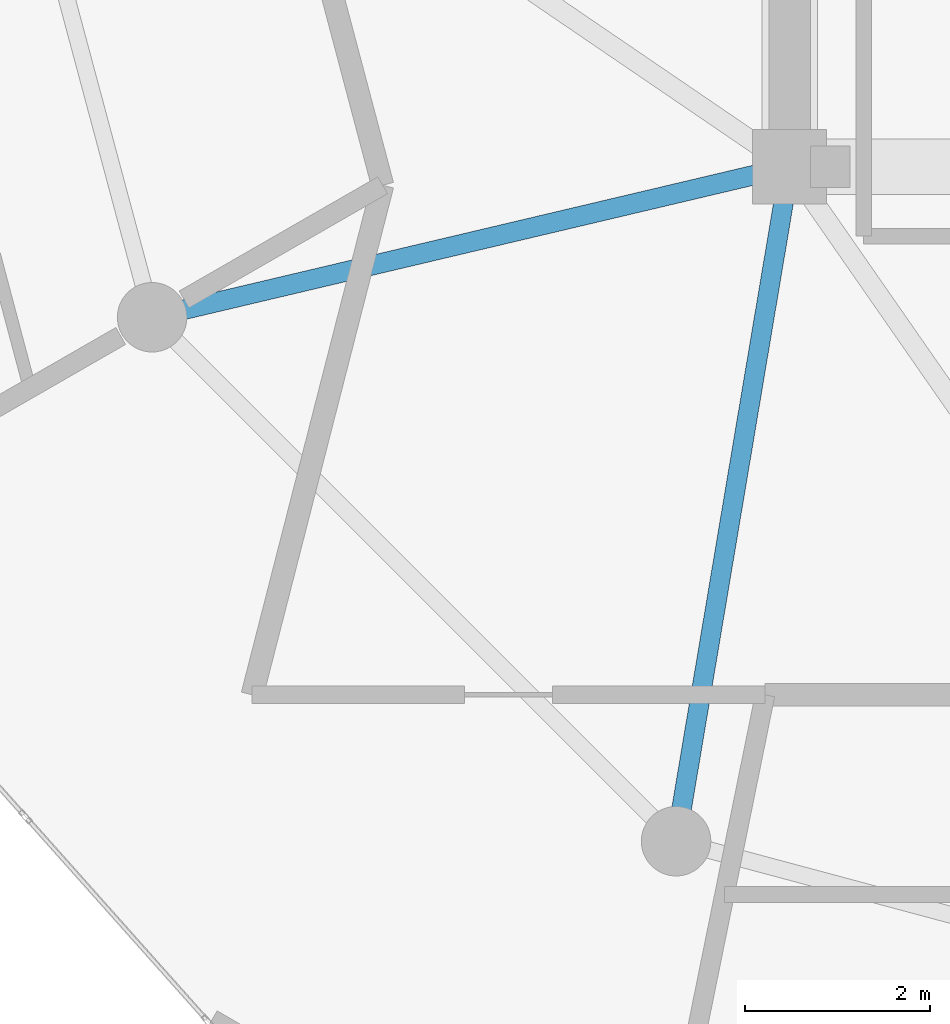
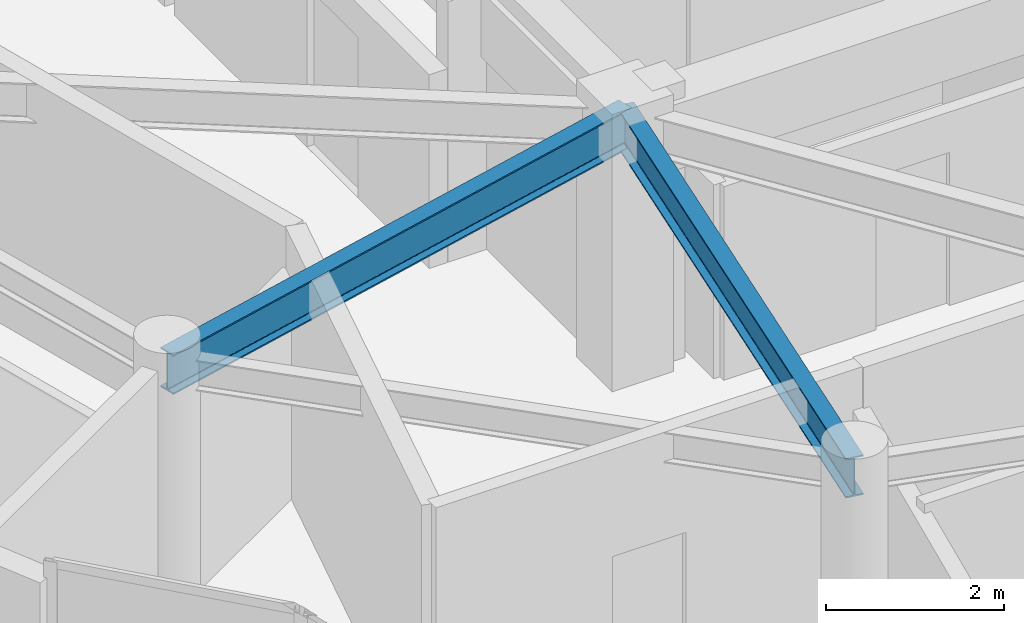
# One storey, part 3 of 23: 2 beams.
"""IFC4 building model written with IfcOpenShell, lengths in metres."""

from ifc_helpers import new_model, si_unit, direction, frame, origin, origin_2d, place, context, subcontext, project, spatial, i_section, extrude, material, material_profile, profile_set, type_object, element, save


model = new_model("IFC4")

# Units and contexts
model_context = context("Model", 3, precision=1e-05, world=origin(), true_north=direction((0.0, 1.0)))
body_context = subcontext(model_context, "Body", "Model", "MODEL_VIEW")
ifc_project = project(units=[si_unit("LENGTHUNIT", "METRE"), si_unit("AREAUNIT", "SQUARE_METRE"), si_unit("VOLUMEUNIT", "CUBIC_METRE"), si_unit("PLANEANGLEUNIT", "RADIAN"), si_unit("MASSUNIT", "GRAM", prefix="KILO")], contexts=[model_context])

# Site, building, storey
site_placement = place(None, origin())
site = spatial("IfcSite", under=ifc_project, at=site_placement, CompositionType="ELEMENT")
building_placement = place(site_placement, origin())
building = spatial("IfcBuilding", under=site, at=building_placement, Name="Solvirekh Grand Hotel", CompositionType="ELEMENT")
storey_placement = place(building_placement, frame((0.0, 0.0, 285.800048828125)))
storey = spatial("IfcBuildingStorey", under=building, at=storey_placement, Name="L74", CompositionType="ELEMENT", Elevation=285.800048828125)

# Beams
ifc_material = material(Name="Steel S355", Category="steel")
ifc_material_profile = material_profile(ifc_material, i_section(OverallWidth=0.2119140625, OverallDepth=0.5439453125, WebThickness=0.011962890625, FlangeThickness=0.01904296875, FilletRadius=0.013916015625, at=origin_2d()), Name="W530X123")
ifc_profile_set = profile_set([ifc_material_profile], Name="Steel S355")
beam_type = type_object("IfcBeamType", Name="Beam_Radial_W530H", PredefinedType="BEAM", material=ifc_profile_set)
beam_1_placement = place(storey_placement, frame((-6.5, -6.10009765625, 3.2978515625), z_axis=(-0.973221147544, -0.229870828888, 0.0), x_axis=(0.229870828888, -0.973221147544, 0.0)))
element("IfcBeam", 1, at=beam_1_placement, inside=storey, type_object=beam_type, Name="L74 radial floor beam R08", PredefinedType="BEAM", context=body_context, shape_type="SweptSolid", body=[
    extrude(i_section(OverallWidth=0.2119140625, OverallDepth=0.5439453125, WebThickness=0.011962890625, FlangeThickness=0.01904296875, FilletRadius=0.013916015625, at=origin_2d()), origin(), (0.0, 0.0, 1.0), 7.069091796875),
])
beam_2_placement = place(storey_placement, frame((-6.5, -6.10009765625, 3.2978515625), z_axis=(-0.165954049106, -0.986133486697, 0.0), x_axis=(0.986133486697, -0.165954049106, 0.0)))
element("IfcBeam", 2, at=beam_2_placement, inside=storey, type_object=beam_type, Name="L74 radial floor beam R09", PredefinedType="BEAM", context=body_context, shape_type="SweptSolid", body=[
    extrude(i_section(OverallWidth=0.2119140625, OverallDepth=0.5439453125, WebThickness=0.011962890625, FlangeThickness=0.01904296875, FilletRadius=0.013916015625, at=origin_2d()), origin(), (0.0, 0.0, 1.0), 7.382080078125),
])

save(model, "model.ifc")
